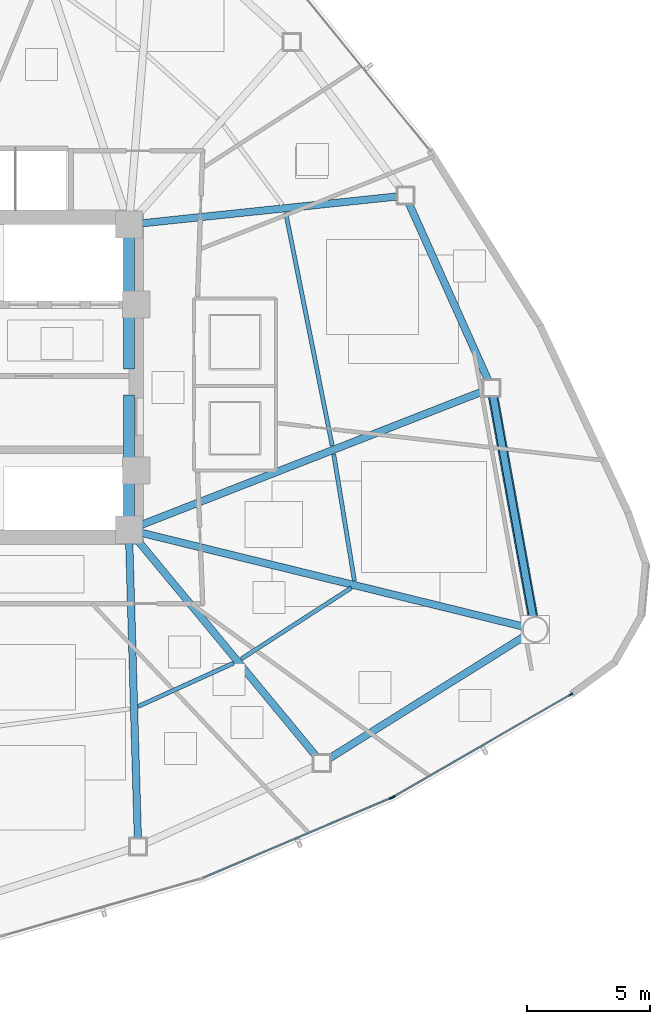
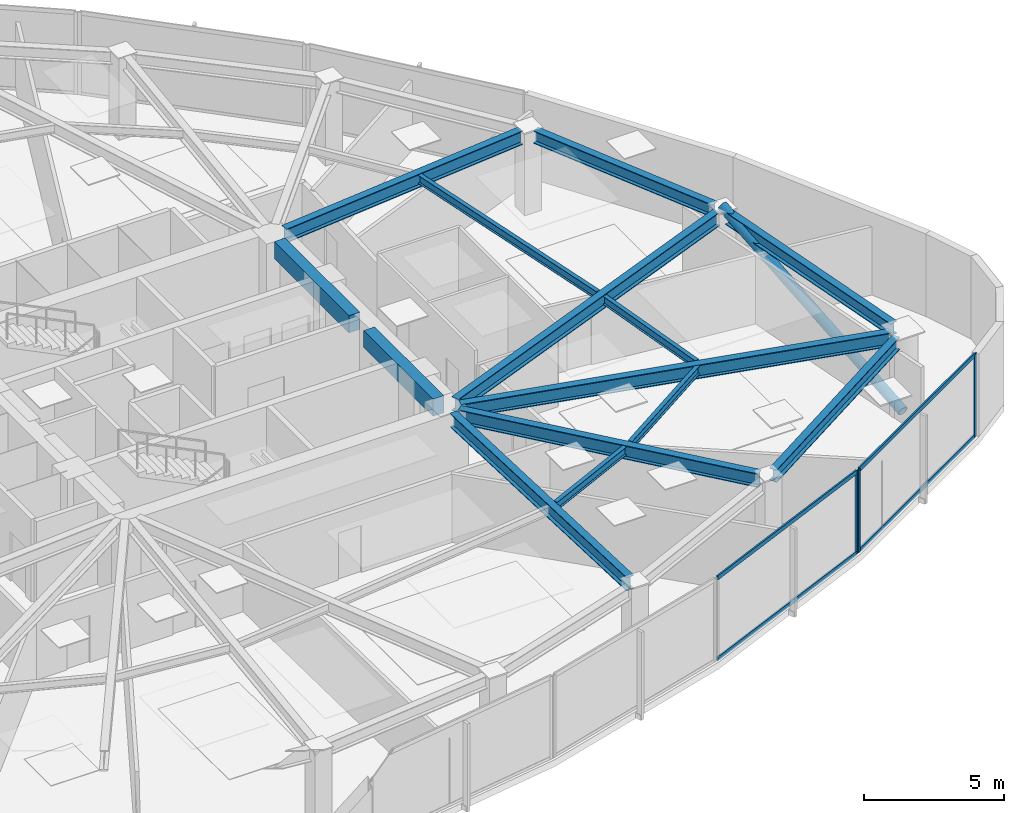
# One storey, part 6 of 17: 14 beams, 8 members, 2 elements without a shape of their own.
"""IFC4 building model written with IfcOpenShell, lengths in metres."""

from ifc_helpers import new_model, si_unit, direction, frame, origin, origin_2d, place, context, subcontext, project, spatial, rectangle, hollow_rectangle, hollow_circle, i_section, extrude, source, transform, mapped, material, layer, layer_set, material_profile, profile_set, type_object, type_shapes, element, aggregate, save


model = new_model("IFC4")

# Units and contexts
model_context = context("Model", 3, precision=1e-05, world=origin(), true_north=direction((0.0, 1.0)))
body_context = subcontext(model_context, "Body", "Model", "MODEL_VIEW")
ifc_project = project(units=[si_unit("LENGTHUNIT", "METRE"), si_unit("AREAUNIT", "SQUARE_METRE"), si_unit("VOLUMEUNIT", "CUBIC_METRE"), si_unit("PLANEANGLEUNIT", "RADIAN"), si_unit("MASSUNIT", "GRAM", prefix="KILO")], contexts=[model_context])

# Site, building, storey
site_placement = place(None, origin())
site = spatial("IfcSite", under=ifc_project, at=site_placement, CompositionType="ELEMENT")
building_placement = place(site_placement, origin())
building = spatial("IfcBuilding", under=site, at=building_placement, Name="Tavelor Broadcast Tower", CompositionType="ELEMENT")
storey_placement = place(building_placement, frame((0.0, 0.0, 78.300048828125)))
storey = spatial("IfcBuildingStorey", under=building, at=storey_placement, Name="L18", CompositionType="ELEMENT", Elevation=78.300048828125)

# Beams
ifc_material_1 = material(Name="Concrete C40/50", Category="concrete")
ifc_material_profile_1 = material_profile(ifc_material_1, rectangle(XDim=0.449951171875, YDim=0.75, at=origin_2d()), Name="RC 450x750")
ifc_profile_set_1 = profile_set([ifc_material_profile_1], Name="Concrete C40/50")
beam_type_1 = type_object("IfcBeamType", Name="Basement Core Trim Beam 450x750", PredefinedType="BEAM", material=ifc_profile_set_1)
beam_1_placement = place(storey_placement, frame((56.60009765625, 45.327880859375, 3.224853515625), z_axis=(0.0, 1.0, 0.0), x_axis=(-1.0, 0.0, 0.0)))
element("IfcBeam", 1, at=beam_1_placement, inside=storey, type_object=beam_type_1, Name="L18 Core East-N Tie Girder", PredefinedType="BEAM", context=body_context, shape_type="SweptSolid", body=[
    extrude(rectangle(XDim=0.449951171875, YDim=0.75, at=origin_2d()), origin(), (0.0, 0.0, 1.0), 5.34423828125),
])
beam_2_placement = place(storey_placement, frame((56.60009765625, 39.327880859375, 3.224853515625), z_axis=(0.0, 1.0, 0.0), x_axis=(-1.0, 0.0, 0.0)))
element("IfcBeam", 2, at=beam_2_placement, inside=storey, type_object=beam_type_1, Name="L18 Core East-S Tie Girder", PredefinedType="BEAM", context=body_context, shape_type="SweptSolid", body=[
    extrude(rectangle(XDim=0.449951171875, YDim=0.75, at=origin_2d()), origin(), (0.0, 0.0, 1.0), 4.944091796875),
])
ifc_material_2 = material(Name="Steel S355", Category="steel")
ifc_material_profile_2 = material_profile(ifc_material_2, i_section(OverallWidth=0.169921875, OverallDepth=0.360107421875, WebThickness=0.008056640625, FlangeThickness=0.0126953125, at=origin_2d()), Name="IPE 360")
ifc_profile_set_2 = profile_set([ifc_material_profile_2], Name="Steel S355")
beam_type_2 = type_object("IfcBeamType", Name="Composite Floor Joist T2 IPE 360", PredefinedType="JOIST", material=ifc_profile_set_2)
beam_3_placement = place(storey_placement, frame((56.976318359375, 31.61865234375, 3.419921875), z_axis=(0.910576347723, 0.413340918573, 0.0), x_axis=(-0.413340918573, 0.910576347723, 0.0)))
element("IfcBeam", 3, at=beam_3_placement, inside=storey, type_object=beam_type_2, Name="L18 Secondary Composite Floor Joist 11", PredefinedType="JOIST", context=body_context, shape_type="SweptSolid", body=[
    extrude(i_section(OverallWidth=0.169921875, OverallDepth=0.360107421875, WebThickness=0.008056640625, FlangeThickness=0.0126953125, at=origin_2d()), origin(), (0.0, 0.0, 1.0), 4.26025390625),
])
beam_4_placement = place(storey_placement, frame((61.172607421875, 33.552490234375, 3.419921875), z_axis=(0.839830816691, 0.542848228639, 0.0), x_axis=(-0.542848228639, 0.839830816691, 0.0)))
element("IfcBeam", 4, at=beam_4_placement, inside=storey, type_object=beam_type_2, Name="L18 Secondary Composite Floor Joist 12", PredefinedType="JOIST", context=body_context, shape_type="SweptSolid", body=[
    extrude(i_section(OverallWidth=0.169921875, OverallDepth=0.360107421875, WebThickness=0.008056640625, FlangeThickness=0.0126953125, at=origin_2d()), origin(), (0.0, 0.0, 1.0), 5.325439453125),
])
beam_5_placement = place(storey_placement, frame((65.767822265625, 36.72021484375, 3.419921875), z_axis=(-0.161277112784, 0.986909161419, 0.0), x_axis=(-0.986909161419, -0.161277112784, 0.0)))
element("IfcBeam", 5, at=beam_5_placement, inside=storey, type_object=beam_type_2, Name="L18 Secondary Composite Floor Joist 13", PredefinedType="JOIST", context=body_context, shape_type="SweptSolid", body=[
    extrude(i_section(OverallWidth=0.169921875, OverallDepth=0.360107421875, WebThickness=0.008056640625, FlangeThickness=0.0126953125, at=origin_2d()), origin(), (0.0, 0.0, 1.0), 5.213623046875),
])
beam_6_placement = place(storey_placement, frame((64.8623046875, 42.2216796875, 3.419921875), z_axis=(-0.195581157194, 0.980687519524, 0.0), x_axis=(-0.980687519524, -0.195581157194, 0.0)))
element("IfcBeam", 6, at=beam_6_placement, inside=storey, type_object=beam_type_2, Name="L18 Secondary Composite Floor Joist 14", PredefinedType="JOIST", context=body_context, shape_type="SweptSolid", body=[
    extrude(i_section(OverallWidth=0.169921875, OverallDepth=0.360107421875, WebThickness=0.008056640625, FlangeThickness=0.0126953125, at=origin_2d()), origin(), (0.0, 0.0, 1.0), 9.654296875),
])
ifc_material_profile_3 = material_profile(ifc_material_2, i_section(OverallWidth=0.300048828125, OverallDepth=0.550048828125, WebThickness=0.014892578125, FlangeThickness=0.029052734375, at=origin_2d()), Name="HEB 550")
ifc_profile_set_3 = profile_set([ifc_material_profile_3], Name="Steel S355")
beam_type_3 = type_object("IfcBeamType", Name="Perimeter Spandrel Beam T2 HEB 550", PredefinedType="SPANDREL", material=ifc_profile_set_3)
beam_7_placement = place(storey_placement, frame((64.728271484375, 29.493408203125, 3.324951171875), z_axis=(0.847666386228, 0.530529638813, 0.0), x_axis=(-0.530529638813, 0.847666386228, 0.0)))
element("IfcBeam", 7, at=beam_7_placement, inside=storey, type_object=beam_type_3, Name="L18 Framed-Tube Ring Spandrel 12", PredefinedType="SPANDREL", context=body_context, shape_type="SweptSolid", body=[
    extrude(i_section(OverallWidth=0.300048828125, OverallDepth=0.550048828125, WebThickness=0.014892578125, FlangeThickness=0.029052734375, at=origin_2d()), origin(), (0.0, 0.0, 1.0), 9.385009765625),
])
beam_8_placement = place(storey_placement, frame((73.02685546875, 35.248046875, 3.324951171875), z_axis=(-0.177746542691, 0.984076301189, 0.0), x_axis=(-0.984076301189, -0.177746542691, 0.0)))
element("IfcBeam", 8, at=beam_8_placement, inside=storey, type_object=beam_type_3, Name="L18 Framed-Tube Ring Spandrel 13", PredefinedType="SPANDREL", context=body_context, shape_type="SweptSolid", body=[
    extrude(i_section(OverallWidth=0.300048828125, OverallDepth=0.550048828125, WebThickness=0.014892578125, FlangeThickness=0.029052734375, at=origin_2d()), origin(), (0.0, 0.0, 1.0), 9.13134765625),
])
beam_9_placement = place(storey_placement, frame((71.206787109375, 44.87109375, 3.324951171875), z_axis=(-0.408951132019, 0.912556284084, 0.0), x_axis=(-0.912556284084, -0.408951132019, 0.0)))
element("IfcBeam", 9, at=beam_9_placement, inside=storey, type_object=beam_type_3, Name="L18 Framed-Tube Ring Spandrel 14", PredefinedType="SPANDREL", context=body_context, shape_type="SweptSolid", body=[
    extrude(i_section(OverallWidth=0.300048828125, OverallDepth=0.550048828125, WebThickness=0.014892578125, FlangeThickness=0.029052734375, at=origin_2d()), origin(), (0.0, 0.0, 1.0), 7.895263671875),
])

# Member
ifc_material_profile_4 = material_profile(ifc_material_2, hollow_circle(Radius=0.203125, WallThickness=0.02001953125, at=origin_2d()), Name="CHS 406.4x20")
ifc_profile_set_4 = profile_set([ifc_material_profile_4], Name="Steel S355")
member_type_1 = type_object("IfcMemberType", Name="Perimeter Tube Brace T2 CHS 406.4x20", PredefinedType="BRACE", material=ifc_profile_set_4)
member_1_placement = place(storey_placement, frame((73.117919921875, 34.743896484375, 0.0), z_axis=(-0.167207286332, 0.925692306634, 0.339316190059), x_axis=(-0.984075144607, -0.177752945874, 0.0)))
element("IfcMember", 10, at=member_1_placement, inside=storey, type_object=member_type_1, Name="L18 Corner Tube Diagonal Brace 3", PredefinedType="BRACE", context=body_context, shape_type="SweptSolid", body=[
    extrude(hollow_circle(Radius=0.203125, WallThickness=0.02001953125, at=origin_2d()), origin(), (0.0, 0.0, 1.0), 10.609130859375),
])

# Beams
ifc_material_profile_5 = material_profile(ifc_material_2, i_section(OverallWidth=0.300048828125, OverallDepth=0.60009765625, WebThickness=0.015380859375, FlangeThickness=0.030029296875, at=origin_2d()), Name="HEB 600")
ifc_profile_set_5 = profile_set([ifc_material_profile_5], Name="Steel S355")
beam_type_4 = type_object("IfcBeamType", Name="Radial Floor Girder T2 HEB 600", PredefinedType="BEAM", material=ifc_profile_set_5)
beam_10_placement = place(storey_placement, frame((56.615478515625, 38.272216796875, 3.300048828125), z_axis=(0.029126279866, -0.999575739912, 0.0), x_axis=(0.999575739912, 0.029126279866, 0.0)))
element("IfcBeam", 11, at=beam_10_placement, inside=storey, type_object=beam_type_4, Name="L18 Radial Primary Floor Girder 11", PredefinedType="BEAM", context=body_context, shape_type="SweptSolid", body=[
    extrude(i_section(OverallWidth=0.300048828125, OverallDepth=0.60009765625, WebThickness=0.015380859375, FlangeThickness=0.030029296875, at=origin_2d()), origin(), (0.0, 0.0, 1.0), 12.02001953125),
])
beam_11_placement = place(storey_placement, frame((56.9365234375, 38.39306640625, 3.300048828125), z_axis=(0.637277760564, -0.770634190709, 0.0), x_axis=(0.770634190709, 0.637277760564, 0.0)))
element("IfcBeam", 12, at=beam_11_placement, inside=storey, type_object=beam_type_4, Name="L18 Radial Primary Floor Girder 12", PredefinedType="BEAM", context=body_context, shape_type="SweptSolid", body=[
    extrude(i_section(OverallWidth=0.300048828125, OverallDepth=0.60009765625, WebThickness=0.015380859375, FlangeThickness=0.030029296875, at=origin_2d()), origin(), (0.0, 0.0, 1.0), 11.44384765625),
])
beam_12_placement = place(storey_placement, frame((57.11279296875, 38.674072265625, 3.300048828125), z_axis=(0.971151145926, -0.238464780979, 0.0), x_axis=(0.238464780979, 0.971151145926, 0.0)))
element("IfcBeam", 13, at=beam_12_placement, inside=storey, type_object=beam_type_4, Name="L18 Radial Primary Floor Girder 13", PredefinedType="BEAM", context=body_context, shape_type="SweptSolid", body=[
    extrude(i_section(OverallWidth=0.300048828125, OverallDepth=0.60009765625, WebThickness=0.015380859375, FlangeThickness=0.030029296875, at=origin_2d()), origin(), (0.0, 0.0, 1.0), 15.96826171875),
])
beam_13_placement = place(storey_placement, frame((57.091796875, 38.9921875, 3.300048828125), z_axis=(0.931341899941, 0.36414593972, 0.0), x_axis=(-0.36414593972, 0.931341899941, 0.0)))
element("IfcBeam", 14, at=beam_13_placement, inside=storey, type_object=beam_type_4, Name="L18 Radial Primary Floor Girder 14", PredefinedType="BEAM", context=body_context, shape_type="SweptSolid", body=[
    extrude(i_section(OverallWidth=0.300048828125, OverallDepth=0.60009765625, WebThickness=0.015380859375, FlangeThickness=0.030029296875, at=origin_2d()), origin(), (0.0, 0.0, 1.0), 14.967041015625),
])
beam_14_placement = place(storey_placement, frame((57.125, 51.255126953125, 3.300048828125), z_axis=(0.994510577777, 0.104636086941, 0.0), x_axis=(-0.104636086941, 0.994510577777, 0.0)))
element("IfcBeam", 15, at=beam_14_placement, inside=storey, type_object=beam_type_4, Name="L18 Radial Primary Floor Girder 15", PredefinedType="BEAM", context=body_context, shape_type="SweptSolid", body=[
    extrude(i_section(OverallWidth=0.300048828125, OverallDepth=0.60009765625, WebThickness=0.015380859375, FlangeThickness=0.030029296875, at=origin_2d()), origin(), (0.0, 0.0, 1.0), 10.43896484375),
])

# Curtain wall, member
ifc_material_3 = material(Name="Architectural Anodized Aluminium", Category="aluminium")
ifc_layer = layer(ifc_material_3, 0.179931640625)
ifc_layer_set = layer_set([ifc_layer], Name="Architectural Anodized Aluminium")
curtain_wall_type = type_object("IfcCurtainWallType", Name="Tower Low-Zone Unitised Curtain Wall CW02", PredefinedType="NOTDEFINED", material=ifc_layer_set)
curtain_wall_1_placement = place(storey_placement, origin())
curtain_wall_1 = element("IfcCurtainWall", 16, at=curtain_wall_1_placement, inside=storey, type_object=curtain_wall_type, Name="L18 Curtain Wall CW02 Run 175", PredefinedType="NOTDEFINED")
ifc_material_profile_6 = material_profile(ifc_material_3, hollow_rectangle(XDim=0.06494140625, YDim=0.179931640625, WallThickness=0.02197265625, at=origin_2d()), Name="RHS 65x180x22")
ifc_profile_set_6 = profile_set([ifc_material_profile_6], Name="Architectural Anodized Aluminium")
member_type_2 = type_object("IfcMemberType", Name="CW02 Extruded Aluminium Mullion 65x180", PredefinedType="MULLION", material=ifc_profile_set_6)
shared_shape_1 = source(origin(), body_context, "Body", "SweptSolid", [
    extrude(hollow_rectangle(XDim=0.06494140625, YDim=0.179931640625, WallThickness=0.02197265625, at=origin_2d()), origin(), (0.0, 0.0, 1.0), 3.599853515625),
])
type_shapes(member_type_2, [shared_shape_1])
member_2_placement = place(storey_placement, frame((67.261474609375, 27.897705078125, 0.0), z_axis=(0.0, 0.0, 1.0), x_axis=(-0.391161096286, 0.920322224415, 0.0)))
member_2 = element("IfcMember", 17, at=member_2_placement, type_object=member_type_2, Name="CW02 mullion 2", PredefinedType="MULLION", context=body_context, shape_type="MappedRepresentation", body=[
    mapped(shared_shape_1, transform((0.0, 0.0, 0.0), scale=1.0)),
])

# Curtain wall, members
curtain_wall_2_placement = place(storey_placement, origin())
curtain_wall_2 = element("IfcCurtainWall", 18, at=curtain_wall_2_placement, inside=storey, type_object=curtain_wall_type, Name="L18 Curtain Wall CW02 Run 176", PredefinedType="NOTDEFINED")
member_3_placement = place(storey_placement, frame((67.346435546875, 27.93994140625, 0.0), z_axis=(0.0, 0.0, 1.0), x_axis=(-0.499635887904, 0.866235521967, 0.0)))
member_3 = element("IfcMember", 19, at=member_3_placement, type_object=member_type_2, Name="CW02 mullion 1", PredefinedType="MULLION", context=body_context, shape_type="MappedRepresentation", body=[
    mapped(shared_shape_1, transform((0.0, 0.0, 0.0), scale=1.0)),
])
member_4_placement = place(storey_placement, frame((74.567138671875, 32.104736328125, 0.0), z_axis=(0.0, 0.0, 1.0), x_axis=(-0.499635887904, 0.866235521967, 0.0)))
member_4 = element("IfcMember", 20, at=member_4_placement, type_object=member_type_2, Name="CW02 mullion 2", PredefinedType="MULLION", context=body_context, shape_type="MappedRepresentation", body=[
    mapped(shared_shape_1, transform((0.0, 0.0, 0.0), scale=1.0)),
])

# Member
ifc_material_profile_7 = material_profile(ifc_material_3, hollow_rectangle(XDim=0.06494140625, YDim=0.179931640625, WallThickness=0.02197265625, at=origin_2d()), Name="RHS 65x180x22")
ifc_profile_set_7 = profile_set([ifc_material_profile_7], Name="Architectural Anodized Aluminium")
member_type_3 = type_object("IfcMemberType", Name="CW02 Extruded Aluminium Transom 65x180", PredefinedType="USERDEFINED", material=ifc_profile_set_7)
shared_shape_2 = source(origin(), body_context, "Body", "SweptSolid", [
    extrude(hollow_rectangle(XDim=0.06494140625, YDim=0.179931640625, WallThickness=0.02197265625, at=origin_2d()), origin(), (0.0, 0.0, 1.0), 8.2548828125),
])
member_5_placement = place(storey_placement, frame((59.634521484375, 24.656005859375, 0.032470703125), z_axis=(0.920332515438, 0.391136882726, 0.0), x_axis=(-0.391136882726, 0.920332515438, 0.0)))
member_5 = element("IfcMember", 21, at=member_5_placement, type_object=member_type_3, Name="CW02 transom 1.1", ObjectType="TRANSOM", PredefinedType="USERDEFINED", context=body_context, shape_type="MappedRepresentation", body=[
    mapped(shared_shape_2, transform((0.0, 0.0, 0.0), scale=1.0)),
])

member_6_placement = place(storey_placement, frame((59.634521484375, 24.656005859375, 3.5673828125), z_axis=(0.920332515438, 0.391136882726, 0.0), x_axis=(-0.391136882726, 0.920332515438, 0.0)))
member_6 = element("IfcMember", 22, at=member_6_placement, type_object=member_type_3, Name="CW02 transom 1.2", ObjectType="TRANSOM", PredefinedType="USERDEFINED", context=body_context, shape_type="MappedRepresentation", body=[
    mapped(shared_shape_2, transform((0.0, 0.0, 0.0), scale=1.0)),
])

aggregate(curtain_wall_1, [member_2, member_5, member_6])

shared_shape_3 = source(origin(), body_context, "Body", "SweptSolid", [
    extrude(hollow_rectangle(XDim=0.06494140625, YDim=0.179931640625, WallThickness=0.02197265625, at=origin_2d()), origin(), (0.0, 0.0, 1.0), 8.270751953125),
])
type_shapes(member_type_3, [shared_shape_2, shared_shape_3])
member_7_placement = place(storey_placement, frame((67.37451171875, 27.9560546875, 0.032470703125), z_axis=(0.866241602971, 0.499625344915, 0.0), x_axis=(-0.499625344915, 0.866241602971, 0.0)))
member_7 = element("IfcMember", 23, at=member_7_placement, type_object=member_type_3, Name="CW02 transom 1.1", ObjectType="TRANSOM", PredefinedType="USERDEFINED", context=body_context, shape_type="MappedRepresentation", body=[
    mapped(shared_shape_3, transform((0.0, 0.0, 0.0), scale=1.0)),
])

member_8_placement = place(storey_placement, frame((67.37451171875, 27.9560546875, 3.5673828125), z_axis=(0.866241602971, 0.499625344915, 0.0), x_axis=(-0.499625344915, 0.866241602971, 0.0)))
member_8 = element("IfcMember", 24, at=member_8_placement, type_object=member_type_3, Name="CW02 transom 1.2", ObjectType="TRANSOM", PredefinedType="USERDEFINED", context=body_context, shape_type="MappedRepresentation", body=[
    mapped(shared_shape_3, transform((0.0, 0.0, 0.0), scale=1.0)),
])

aggregate(curtain_wall_2, [member_3, member_4, member_7, member_8])

save(model, "model.ifc")
